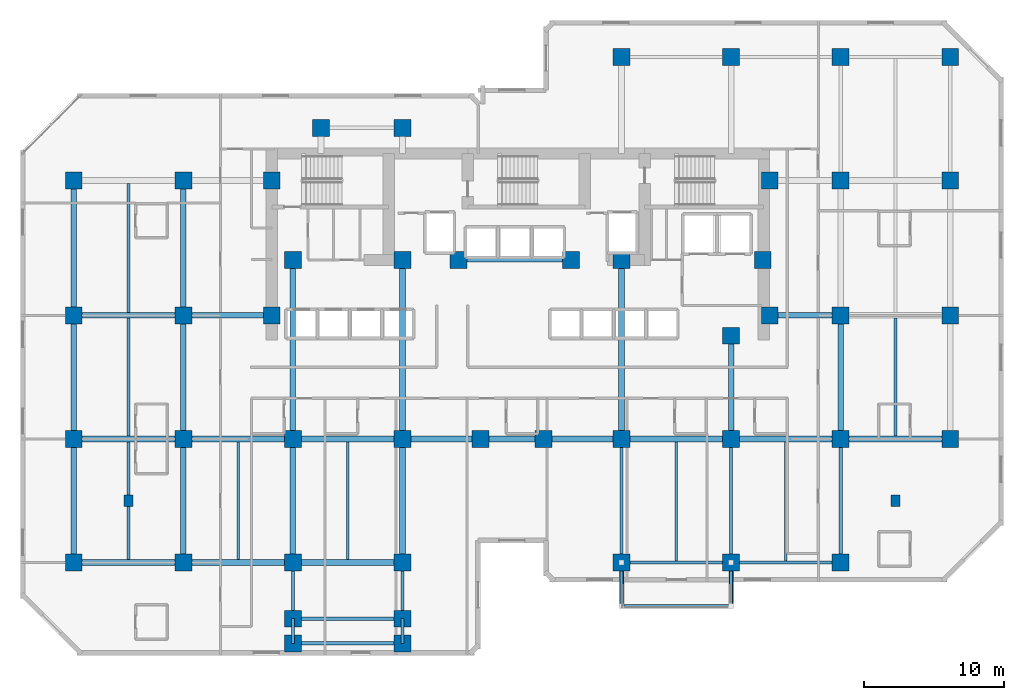
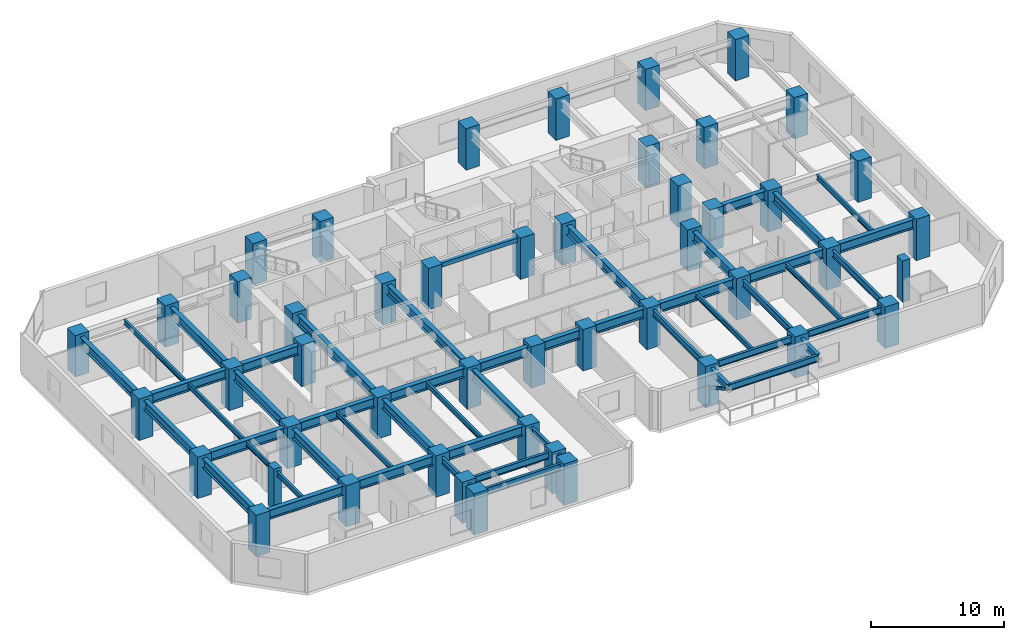
# One storey, part 1 of 12: 51 beams, 48 columns, 2 members.
"""IFC4 building model written with IfcOpenShell, lengths in metres."""

from ifc_helpers import new_model, si_unit, direction, frame, origin, origin_2d, place, context, subcontext, project, spatial, rectangle, hollow_rectangle, i_section, extrude, material, material_profile, profile_set, type_object, element, save


model = new_model("IFC4")

# Units and contexts
model_context = context("Model", 3, precision=1e-05, world=origin(), true_north=direction((0.0, 1.0)))
body_context = subcontext(model_context, "Body", "Model", "MODEL_VIEW")
ifc_project = project(units=[si_unit("LENGTHUNIT", "METRE"), si_unit("AREAUNIT", "SQUARE_METRE"), si_unit("VOLUMEUNIT", "CUBIC_METRE"), si_unit("PLANEANGLEUNIT", "RADIAN"), si_unit("MASSUNIT", "GRAM", prefix="KILO")], contexts=[model_context])

# Site, building, storey
site_placement = place(None, origin())
site = spatial("IfcSite", under=ifc_project, at=site_placement, CompositionType="ELEMENT")
building_placement = place(site_placement, origin())
building = spatial("IfcBuilding", under=site, at=building_placement, Name="Kestravale Grand Hotel", CompositionType="ELEMENT")
storey_placement = place(building_placement, frame((0.0, 0.0, 122.199951171875)))
storey = spatial("IfcBuildingStorey", under=building, at=storey_placement, Name="L30", CompositionType="ELEMENT", Elevation=122.199951171875)

# Columns
ifc_material_1 = material(Name="Precast concrete f'c 45 MPa", Category="concrete")
ifc_material_profile_1 = material_profile(ifc_material_1, rectangle(XDim=0.64990234375, YDim=0.85009765625, at=origin_2d()))
ifc_profile_set_1 = profile_set([ifc_material_profile_1], Name="Precast concrete f'c 45 MPa")
column_type_1 = type_object("IfcColumnType", Name="C-Z1-PIL850", PredefinedType="PILASTER", material=ifc_profile_set_1)
for number, where, z_axis, x_axis, name in (
    (1, (11.699951171875, 15.60009765625, 0.0), (0.0, 0.0, 1.0), (1.0, 0.0, 0.0), "L30 Art Deco fluted pilaster P1"),
    (2, (66.300048828125, 15.60009765625, 0.0), (0.0, 0.0, 1.0), (1.0, 0.0, 0.0), "L30 Art Deco fluted pilaster P2"),
):
    element("IfcColumn", number, at=place(storey_placement, frame(where, z_axis=z_axis, x_axis=x_axis)), inside=storey, type_object=column_type_1, Name=name, PredefinedType="PILASTER", context=body_context, shape_type="SweptSolid", body=[
        extrude(rectangle(XDim=0.64990234375, YDim=0.85009765625, at=origin_2d()), origin(), (0.0, 0.0, 1.0), 3.800048828125),
    ])
ifc_material_2 = material(Name="Concrete f'c 60 MPa", Category="concrete")
ifc_material_profile_2 = material_profile(ifc_material_2, rectangle(XDim=1.199951171875, YDim=1.199951171875, at=origin_2d()))
ifc_profile_set_2 = profile_set([ifc_material_profile_2], Name="Concrete f'c 60 MPa")
column_type_2 = type_object("IfcColumnType", Name="C-Z2-1200", PredefinedType="COLUMN", material=ifc_profile_set_2)
for number, where, z_axis, x_axis, name in (
    (3, (7.800048828125, 11.199951171875, 0.0), (0.0, 0.0, 1.0), (1.0, 0.0, 0.0), "L30 column 2-C"),
    (4, (7.800048828125, 20.0, 0.0), (0.0, 0.0, 1.0), (1.0, 0.0, 0.0), "L30 column 2-D"),
    (5, (7.800048828125, 28.800048828125, 0.0), (0.0, 0.0, 1.0), (1.0, 0.0, 0.0), "L30 column 2-E"),
    (6, (7.800048828125, 38.39990234375, 0.0), (0.0, 0.0, 1.0), (1.0, 0.0, 0.0), "L30 column 2-F"),
    (7, (15.60009765625, 11.199951171875, 0.0), (0.0, 0.0, 1.0), (1.0, 0.0, 0.0), "L30 column 3-C"),
    (8, (15.60009765625, 20.0, 0.0), (0.0, 0.0, 1.0), (1.0, 0.0, 0.0), "L30 column 3-D"),
    (9, (15.60009765625, 28.800048828125, 0.0), (0.0, 0.0, 1.0), (1.0, 0.0, 0.0), "L30 column 3-E"),
    (10, (15.60009765625, 38.39990234375, 0.0), (0.0, 0.0, 1.0), (1.0, 0.0, 0.0), "L30 column 3-F"),
    (11, (23.39990234375, 11.199951171875, 0.0), (0.0, 0.0, 1.0), (1.0, 0.0, 0.0), "L30 column 4-C"),
    (12, (23.39990234375, 20.0, 0.0), (0.0, 0.0, 1.0), (1.0, 0.0, 0.0), "L30 column 4-D"),
    (13, (31.199951171875, 11.199951171875, 0.0), (0.0, 0.0, 1.0), (1.0, 0.0, 0.0), "L30 column 5-C"),
    (14, (31.199951171875, 20.0, 0.0), (0.0, 0.0, 1.0), (1.0, 0.0, 0.0), "L30 column 5-D"),
    (15, (36.75, 20.0, 0.0), (0.0, 0.0, 1.0), (1.0, 0.0, 0.0), "L30 column 6-D"),
    (16, (41.25, 20.0, 0.0), (0.0, 0.0, 1.0), (1.0, 0.0, 0.0), "L30 column 7-D"),
    (17, (46.800048828125, 11.199951171875, 0.0), (0.0, 0.0, 1.0), (1.0, 0.0, 0.0), "L30 column 8-C"),
    (18, (46.800048828125, 20.0, 0.0), (0.0, 0.0, 1.0), (1.0, 0.0, 0.0), "L30 column 8-D"),
    (19, (46.800048828125, 47.199951171875, 0.0), (0.0, 0.0, 1.0), (1.0, 0.0, 0.0), "L30 column 8-G"),
    (20, (54.60009765625, 11.199951171875, 0.0), (0.0, 0.0, 1.0), (1.0, 0.0, 0.0), "L30 column 9-C"),
    (21, (54.60009765625, 20.0, 0.0), (0.0, 0.0, 1.0), (1.0, 0.0, 0.0), "L30 column 9-D"),
    (22, (54.60009765625, 47.199951171875, 0.0), (0.0, 0.0, 1.0), (1.0, 0.0, 0.0), "L30 column 9-G"),
    (23, (62.39990234375, 11.199951171875, 0.0), (0.0, 0.0, 1.0), (1.0, 0.0, 0.0), "L30 column 10-C"),
    (24, (62.39990234375, 20.0, 0.0), (0.0, 0.0, 1.0), (1.0, 0.0, 0.0), "L30 column 10-D"),
    (25, (62.39990234375, 28.800048828125, 0.0), (0.0, 0.0, 1.0), (1.0, 0.0, 0.0), "L30 column 10-E"),
    (26, (62.39990234375, 38.39990234375, 0.0), (0.0, 0.0, 1.0), (1.0, 0.0, 0.0), "L30 column 10-F"),
    (27, (62.39990234375, 47.199951171875, 0.0), (0.0, 0.0, 1.0), (1.0, 0.0, 0.0), "L30 column 10-G"),
    (28, (70.199951171875, 20.0, 0.0), (0.0, 0.0, 1.0), (1.0, 0.0, 0.0), "L30 column 11-D"),
    (29, (70.199951171875, 28.800048828125, 0.0), (0.0, 0.0, 1.0), (1.0, 0.0, 0.0), "L30 column 11-E"),
    (30, (70.199951171875, 38.39990234375, 0.0), (0.0, 0.0, 1.0), (1.0, 0.0, 0.0), "L30 column 11-F"),
    (31, (70.199951171875, 47.199951171875, 0.0), (0.0, 0.0, 1.0), (1.0, 0.0, 0.0), "L30 column 11-G"),
    (32, (21.89990234375, 28.800048828125, 0.0), (0.0, 0.0, 1.0), (1.0, 0.0, 0.0), "L30 column CW-E"),
    (33, (21.89990234375, 38.39990234375, 0.0), (0.0, 0.0, 1.0), (1.0, 0.0, 0.0), "L30 column CW-F"),
    (34, (57.35009765625, 28.800048828125, 0.0), (0.0, 0.0, 1.0), (1.0, 0.0, 0.0), "L30 column CE-E"),
    (35, (57.35009765625, 38.39990234375, 0.0), (0.0, 0.0, 1.0), (1.0, 0.0, 0.0), "L30 column CE-F"),
    (36, (23.39990234375, 32.75, 0.0), (0.0, 0.0, 1.0), (1.0, 0.0, 0.0), "L30 column 4-CS"),
    (37, (31.199951171875, 32.75, 0.0), (0.0, 0.0, 1.0), (1.0, 0.0, 0.0), "L30 column 5-CS"),
    (38, (35.199951171875, 32.75, 0.0), (0.0, 0.0, 1.0), (1.0, 0.0, 0.0), "L30 column 6C-CS"),
    (39, (43.199951171875, 32.75, 0.0), (0.0, 0.0, 1.0), (1.0, 0.0, 0.0), "L30 column 7C-CS"),
    (40, (46.800048828125, 32.75, 0.0), (0.0, 0.0, 1.0), (1.0, 0.0, 0.0), "L30 column 8-CS"),
    (41, (54.60009765625, 27.35009765625, 0.0), (0.0, 0.0, 1.0), (1.0, 0.0, 0.0), "L30 column 9-CS"),
    (42, (56.85009765625, 32.75, 0.0), (0.0, 0.0, 1.0), (1.0, 0.0, 0.0), "L30 column 9C-CS"),
    (43, (23.39990234375, 7.199951171875, 0.0), (0.0, 0.0, 1.0), (1.0, 0.0, 0.0), "L30 column 4-BS"),
    (44, (31.199951171875, 7.199951171875, 0.0), (0.0, 0.0, 1.0), (1.0, 0.0, 0.0), "L30 column 5-BS"),
    (45, (25.39990234375, 42.14990234375, 0.0), (0.0, 0.0, 1.0), (1.0, 0.0, 0.0), "L30 column 4-FN"),
    (46, (31.199951171875, 42.14990234375, 0.0), (0.0, 0.0, 1.0), (1.0, 0.0, 0.0), "L30 column 5-FN"),
    (47, (23.39990234375, 5.449951171875, 0.0), (0.0, 0.0, 1.0), (1.0, 0.0, 0.0), "L30 column 4-B1S"),
    (48, (31.199951171875, 5.449951171875, 0.0), (0.0, 0.0, 1.0), (1.0, 0.0, 0.0), "L30 column 5-B1S"),
):
    element("IfcColumn", number, at=place(storey_placement, frame(where, z_axis=z_axis, x_axis=x_axis)), inside=storey, type_object=column_type_2, Name=name, PredefinedType="COLUMN", context=body_context, shape_type="SweptSolid", body=[
        extrude(rectangle(XDim=1.199951171875, YDim=1.199951171875, at=origin_2d()), origin(), (0.0, 0.0, 1.0), 3.800048828125),
    ])

# Beams
ifc_material_3 = material(Name="Steel ASTM A992 Grade 50", Category="steel")
ifc_material_profile_3 = material_profile(ifc_material_3, i_section(OverallWidth=0.19091796875, OverallDepth=0.45703125, WebThickness=0.009033203125, FlangeThickness=0.014404296875, FilletRadius=0.015380859375, at=origin_2d()))
ifc_profile_set_3 = profile_set([ifc_material_profile_3], Name="Steel ASTM A992 Grade 50")
beam_type_1 = type_object("IfcBeamType", Name="B-FLR-JST18", PredefinedType="JOIST", material=ifc_profile_set_3)
for number, where, z_axis, x_axis, name in (
    (49, (11.699951171875, 11.400390625, 3.3115234375), (0.0, 1.0, 0.0), (-1.0, 0.0, 0.0), "L30 floor joist 2-3/C-D #1"),
    (50, (11.699951171875, 20.200439453125, 3.3115234375), (0.0, 1.0, 0.0), (-1.0, 0.0, 0.0), "L30 floor joist 2-3/D-E #1"),
):
    element("IfcBeam", number, at=place(storey_placement, frame(where, z_axis=z_axis, x_axis=x_axis)), inside=storey, type_object=beam_type_1, Name=name, PredefinedType="JOIST", context=body_context, shape_type="SweptSolid", body=[
        extrude(i_section(OverallWidth=0.19091796875, OverallDepth=0.45703125, WebThickness=0.009033203125, FlangeThickness=0.014404296875, FilletRadius=0.015380859375, at=origin_2d()), origin(), (0.0, 0.0, 1.0), 8.399169921875),
    ])
beam_1_placement = place(storey_placement, frame((11.699951171875, 29.00048828125, 3.3115234375), z_axis=(0.0, 1.0, 0.0), x_axis=(-1.0, 0.0, 0.0)))
element("IfcBeam", 51, at=beam_1_placement, inside=storey, type_object=beam_type_1, Name="L30 floor joist 2-3/E-F #1", PredefinedType="JOIST", context=body_context, shape_type="SweptSolid", body=[
    extrude(i_section(OverallWidth=0.19091796875, OverallDepth=0.45703125, WebThickness=0.009033203125, FlangeThickness=0.014404296875, FilletRadius=0.015380859375, at=origin_2d()), origin(), (0.0, 0.0, 1.0), 9.198974609375),
])
for number, where, z_axis, x_axis, name in (
    (52, (19.5, 11.400390625, 3.3115234375), (0.0, 1.0, 0.0), (-1.0, 0.0, 0.0), "L30 floor joist 3-4/C-D #1"),
    (53, (27.300048828125, 11.400390625, 3.3115234375), (0.0, 1.0, 0.0), (-1.0, 0.0, 0.0), "L30 floor joist 4-5/C-D #1"),
):
    element("IfcBeam", number, at=place(storey_placement, frame(where, z_axis=z_axis, x_axis=x_axis)), inside=storey, type_object=beam_type_1, Name=name, PredefinedType="JOIST", context=body_context, shape_type="SweptSolid", body=[
        extrude(i_section(OverallWidth=0.19091796875, OverallDepth=0.45703125, WebThickness=0.009033203125, FlangeThickness=0.014404296875, FilletRadius=0.015380859375, at=origin_2d()), origin(), (0.0, 0.0, 1.0), 8.399169921875),
    ])
for number, where, z_axis, x_axis, name in (
    (54, (50.699951171875, 11.314453125, 3.3115234375), (0.0, 1.0, 0.0), (-1.0, 0.0, 0.0), "L30 floor joist 8-9/C-D #1"),
    (55, (58.5, 11.314453125, 3.3115234375), (0.0, 1.0, 0.0), (-1.0, 0.0, 0.0), "L30 floor joist 9-10/C-D #1"),
):
    element("IfcBeam", number, at=place(storey_placement, frame(where, z_axis=z_axis, x_axis=x_axis)), inside=storey, type_object=beam_type_1, Name=name, PredefinedType="JOIST", context=body_context, shape_type="SweptSolid", body=[
        extrude(i_section(OverallWidth=0.19091796875, OverallDepth=0.45703125, WebThickness=0.009033203125, FlangeThickness=0.014404296875, FilletRadius=0.015380859375, at=origin_2d()), origin(), (0.0, 0.0, 1.0), 8.485107421875),
    ])
beam_2_placement = place(storey_placement, frame((66.300048828125, 20.200439453125, 3.3115234375), z_axis=(0.0, 1.0, 0.0), x_axis=(-1.0, 0.0, 0.0)))
element("IfcBeam", 56, at=beam_2_placement, inside=storey, type_object=beam_type_1, Name="L30 floor joist 10-11/D-E #1", PredefinedType="JOIST", context=body_context, shape_type="SweptSolid", body=[
    extrude(i_section(OverallWidth=0.19091796875, OverallDepth=0.45703125, WebThickness=0.009033203125, FlangeThickness=0.014404296875, FilletRadius=0.015380859375, at=origin_2d()), origin(), (0.0, 0.0, 1.0), 8.399169921875),
])
ifc_material_4 = material(Name="Concrete f'c 45 MPa", Category="concrete")
ifc_material_profile_4 = material_profile(ifc_material_4, rectangle(XDim=0.300048828125, YDim=0.39990234375, at=origin_2d()))
ifc_profile_set_4 = profile_set([ifc_material_profile_4], Name="Concrete f'c 45 MPa")
beam_type_2 = type_object("IfcBeamType", Name="B-FLR-LNT400", PredefinedType="LINTEL", material=ifc_profile_set_4)
beam_3_placement = place(storey_placement, frame((35.199951171875, 32.75, 3.340087890625), z_axis=(1.0, 0.0, 0.0), x_axis=(0.0, 1.0, 0.0)))
element("IfcBeam", 57, at=beam_3_placement, inside=storey, type_object=beam_type_2, Name="L30 core portal header lintel", PredefinedType="LINTEL", context=body_context, shape_type="SweptSolid", body=[
    extrude(rectangle(XDim=0.300048828125, YDim=0.39990234375, at=origin_2d()), origin(), (0.0, 0.0, 1.0), 8.0),
])
ifc_material_5 = material(Name="Steel ASTM A992 Grade 50", Category="steel")
ifc_material_profile_5 = material_profile(ifc_material_5, i_section(OverallWidth=0.324951171875, OverallDepth=0.612060546875, WebThickness=0.0126953125, FlangeThickness=0.01904296875, FilletRadius=0.018798828125, at=origin_2d()))
ifc_profile_set_5 = profile_set([ifc_material_profile_5], Name="Steel ASTM A992 Grade 50")
beam_type_3 = type_object("IfcBeamType", Name="B-FLR-W24A", PredefinedType="SPANDREL", material=ifc_profile_set_5)
for number, where, z_axis, x_axis, name in (
    (58, (46.800048828125, 11.199951171875, 3.22412109375), (0.0, -1.0, 0.0), (1.0, 0.0, 0.0), "L31 terrace cantilever beam 1"),
    (59, (54.60009765625, 11.199951171875, 3.22412109375), (0.0, -1.0, 0.0), (1.0, 0.0, 0.0), "L31 terrace cantilever beam 2"),
):
    element("IfcBeam", number, at=place(storey_placement, frame(where, z_axis=z_axis, x_axis=x_axis)), inside=storey, type_object=beam_type_3, Name=name, PredefinedType="SPANDREL", context=body_context, shape_type="SweptSolid", body=[
        extrude(i_section(OverallWidth=0.324951171875, OverallDepth=0.612060546875, WebThickness=0.0126953125, FlangeThickness=0.01904296875, FilletRadius=0.018798828125, at=origin_2d()), origin(), (0.0, 0.0, 1.0), 3.099853515625),
    ])
ifc_material_6 = material(Name="Steel ASTM A992 Grade 50", Category="steel")
ifc_material_profile_6 = material_profile(ifc_material_6, i_section(OverallWidth=0.22900390625, OverallDepth=0.612060546875, WebThickness=0.011962890625, FlangeThickness=0.01953125, FilletRadius=0.019287109375, at=origin_2d()))
ifc_profile_set_6 = profile_set([ifc_material_profile_6], Name="Steel ASTM A992 Grade 50")
beam_type_4 = type_object("IfcBeamType", Name="B-FLR-W24B", PredefinedType="SPANDREL", material=ifc_profile_set_6)
beam_4_placement = place(storey_placement, frame((46.800048828125, 11.199951171875, 3.234130859375), z_axis=(1.0, 0.0, 0.0), x_axis=(0.0, 1.0, 0.0)))
element("IfcBeam", 60, at=beam_4_placement, inside=storey, type_object=beam_type_4, Name="L30 spandrel C:8-9", PredefinedType="SPANDREL", context=body_context, shape_type="SweptSolid", body=[
    extrude(i_section(OverallWidth=0.22900390625, OverallDepth=0.612060546875, WebThickness=0.011962890625, FlangeThickness=0.01953125, FilletRadius=0.019287109375, at=origin_2d()), origin(), (0.0, 0.0, 1.0), 7.800048828125),
])
beam_5_placement = place(storey_placement, frame((54.60009765625, 11.199951171875, 3.234130859375), z_axis=(1.0, 0.0, 0.0), x_axis=(0.0, 1.0, 0.0)))
element("IfcBeam", 61, at=beam_5_placement, inside=storey, type_object=beam_type_4, Name="L30 spandrel C:9-10", PredefinedType="SPANDREL", context=body_context, shape_type="SweptSolid", body=[
    extrude(i_section(OverallWidth=0.22900390625, OverallDepth=0.612060546875, WebThickness=0.011962890625, FlangeThickness=0.01953125, FilletRadius=0.019287109375, at=origin_2d()), origin(), (0.0, 0.0, 1.0), 7.7998046875),
])
for number, where, z_axis, x_axis, name in (
    (62, (23.39990234375, 5.449951171875, 3.234130859375), (1.0, 0.0, 0.0), (0.0, 1.0, 0.0), "L30 perimeter tie spandrel B1S:4-5"),
    (63, (23.39990234375, 7.199951171875, 3.234130859375), (1.0, 0.0, 0.0), (0.0, 1.0, 0.0), "L30 perimeter tie spandrel BS:4-5"),
):
    element("IfcBeam", number, at=place(storey_placement, frame(where, z_axis=z_axis, x_axis=x_axis)), inside=storey, type_object=beam_type_4, Name=name, PredefinedType="SPANDREL", context=body_context, shape_type="SweptSolid", body=[
        extrude(i_section(OverallWidth=0.22900390625, OverallDepth=0.612060546875, WebThickness=0.011962890625, FlangeThickness=0.01953125, FilletRadius=0.019287109375, at=origin_2d()), origin(), (0.0, 0.0, 1.0), 7.800048828125),
    ])
beam_6_placement = place(storey_placement, frame((23.39990234375, 5.449951171875, 3.234130859375), z_axis=(0.0, 1.0, 0.0), x_axis=(-1.0, 0.0, 0.0)))
element("IfcBeam", 64, at=beam_6_placement, inside=storey, type_object=beam_type_4, Name="L30 spandrel 4:B1S-BS", PredefinedType="SPANDREL", context=body_context, shape_type="SweptSolid", body=[
    extrude(i_section(OverallWidth=0.22900390625, OverallDepth=0.612060546875, WebThickness=0.011962890625, FlangeThickness=0.01953125, FilletRadius=0.019287109375, at=origin_2d()), origin(), (0.0, 0.0, 1.0), 1.75),
])
beam_7_placement = place(storey_placement, frame((23.39990234375, 7.199951171875, 3.234130859375), z_axis=(0.0, 1.0, 0.0), x_axis=(-1.0, 0.0, 0.0)))
element("IfcBeam", 65, at=beam_7_placement, inside=storey, type_object=beam_type_4, Name="L30 spandrel 4:BS-C", PredefinedType="SPANDREL", context=body_context, shape_type="SweptSolid", body=[
    extrude(i_section(OverallWidth=0.22900390625, OverallDepth=0.612060546875, WebThickness=0.011962890625, FlangeThickness=0.01953125, FilletRadius=0.019287109375, at=origin_2d()), origin(), (0.0, 0.0, 1.0), 4.0),
])
beam_8_placement = place(storey_placement, frame((31.199951171875, 5.449951171875, 3.234130859375), z_axis=(0.0, 1.0, 0.0), x_axis=(-1.0, 0.0, 0.0)))
element("IfcBeam", 66, at=beam_8_placement, inside=storey, type_object=beam_type_4, Name="L30 spandrel 5:B1S-BS", PredefinedType="SPANDREL", context=body_context, shape_type="SweptSolid", body=[
    extrude(i_section(OverallWidth=0.22900390625, OverallDepth=0.612060546875, WebThickness=0.011962890625, FlangeThickness=0.01953125, FilletRadius=0.019287109375, at=origin_2d()), origin(), (0.0, 0.0, 1.0), 1.75),
])
beam_9_placement = place(storey_placement, frame((31.199951171875, 7.199951171875, 3.234130859375), z_axis=(0.0, 1.0, 0.0), x_axis=(-1.0, 0.0, 0.0)))
element("IfcBeam", 67, at=beam_9_placement, inside=storey, type_object=beam_type_4, Name="L30 spandrel 5:BS-C", PredefinedType="SPANDREL", context=body_context, shape_type="SweptSolid", body=[
    extrude(i_section(OverallWidth=0.22900390625, OverallDepth=0.612060546875, WebThickness=0.011962890625, FlangeThickness=0.01953125, FilletRadius=0.019287109375, at=origin_2d()), origin(), (0.0, 0.0, 1.0), 4.0),
])
for number, where, z_axis, x_axis, name in (
    (68, (46.800048828125, 11.199951171875, 3.234130859375), (0.0, 1.0, 0.0), (-1.0, 0.0, 0.0), "L30 spandrel 8:C-D"),
    (69, (54.60009765625, 11.199951171875, 3.234130859375), (0.0, 1.0, 0.0), (-1.0, 0.0, 0.0), "L30 spandrel 9:C-D"),
    (70, (62.39990234375, 11.199951171875, 3.234130859375), (0.0, 1.0, 0.0), (-1.0, 0.0, 0.0), "L30 spandrel 10:C-D"),
):
    element("IfcBeam", number, at=place(storey_placement, frame(where, z_axis=z_axis, x_axis=x_axis)), inside=storey, type_object=beam_type_4, Name=name, PredefinedType="SPANDREL", context=body_context, shape_type="SweptSolid", body=[
        extrude(i_section(OverallWidth=0.22900390625, OverallDepth=0.612060546875, WebThickness=0.011962890625, FlangeThickness=0.01953125, FilletRadius=0.019287109375, at=origin_2d()), origin(), (0.0, 0.0, 1.0), 8.800048828125),
    ])
beam_10_placement = place(storey_placement, frame((46.800048828125, 8.10009765625, 3.22412109375), z_axis=(1.0, 0.0, 0.0), x_axis=(0.0, 1.0, 0.0)))
element("IfcBeam", 71, at=beam_10_placement, inside=storey, type_object=beam_type_4, Name="L31 terrace edge spandrel", PredefinedType="SPANDREL", context=body_context, shape_type="SweptSolid", body=[
    extrude(i_section(OverallWidth=0.22900390625, OverallDepth=0.612060546875, WebThickness=0.011962890625, FlangeThickness=0.01953125, FilletRadius=0.019287109375, at=origin_2d()), origin(), (0.0, 0.0, 1.0), 7.800048828125),
])
ifc_material_7 = material(Name="Steel ASTM A992 Grade 50", Category="steel")
ifc_material_profile_7 = material_profile(ifc_material_7, i_section(OverallWidth=0.40087890625, OverallDepth=0.861083984375, WebThickness=0.019775390625, FlangeThickness=0.032470703125, FilletRadius=0.0234375, at=origin_2d()))
ifc_profile_set_7 = profile_set([ifc_material_profile_7], Name="Steel ASTM A992 Grade 50")
beam_type_5 = type_object("IfcBeamType", Name="B-GRD-W33", PredefinedType="BEAM", material=ifc_profile_set_7)
beam_11_placement = place(storey_placement, frame((7.800048828125, 11.199951171875, 3.109619140625), z_axis=(1.0, 0.0, 0.0), x_axis=(0.0, 1.0, 0.0)))
element("IfcBeam", 72, at=beam_11_placement, inside=storey, type_object=beam_type_5, Name="L30 girder C:2-3", PredefinedType="BEAM", context=body_context, shape_type="SweptSolid", body=[
    extrude(i_section(OverallWidth=0.40087890625, OverallDepth=0.861083984375, WebThickness=0.019775390625, FlangeThickness=0.032470703125, FilletRadius=0.0234375, at=origin_2d()), origin(), (0.0, 0.0, 1.0), 7.800048828125),
])
beam_12_placement = place(storey_placement, frame((15.60009765625, 11.199951171875, 3.109619140625), z_axis=(1.0, 0.0, 0.0), x_axis=(0.0, 1.0, 0.0)))
element("IfcBeam", 73, at=beam_12_placement, inside=storey, type_object=beam_type_5, Name="L30 girder C:3-4", PredefinedType="BEAM", context=body_context, shape_type="SweptSolid", body=[
    extrude(i_section(OverallWidth=0.40087890625, OverallDepth=0.861083984375, WebThickness=0.019775390625, FlangeThickness=0.032470703125, FilletRadius=0.0234375, at=origin_2d()), origin(), (0.0, 0.0, 1.0), 7.7998046875),
])
for number, where, z_axis, x_axis, name in (
    (74, (23.39990234375, 11.199951171875, 3.109619140625), (1.0, 0.0, 0.0), (0.0, 1.0, 0.0), "L30 girder C:4-5"),
    (75, (7.800048828125, 20.0, 3.109619140625), (1.0, 0.0, 0.0), (0.0, 1.0, 0.0), "L30 girder D:2-3"),
):
    element("IfcBeam", number, at=place(storey_placement, frame(where, z_axis=z_axis, x_axis=x_axis)), inside=storey, type_object=beam_type_5, Name=name, PredefinedType="BEAM", context=body_context, shape_type="SweptSolid", body=[
        extrude(i_section(OverallWidth=0.40087890625, OverallDepth=0.861083984375, WebThickness=0.019775390625, FlangeThickness=0.032470703125, FilletRadius=0.0234375, at=origin_2d()), origin(), (0.0, 0.0, 1.0), 7.800048828125),
    ])
beam_13_placement = place(storey_placement, frame((15.60009765625, 20.0, 3.109619140625), z_axis=(1.0, 0.0, 0.0), x_axis=(0.0, 1.0, 0.0)))
element("IfcBeam", 76, at=beam_13_placement, inside=storey, type_object=beam_type_5, Name="L30 girder D:3-4", PredefinedType="BEAM", context=body_context, shape_type="SweptSolid", body=[
    extrude(i_section(OverallWidth=0.40087890625, OverallDepth=0.861083984375, WebThickness=0.019775390625, FlangeThickness=0.032470703125, FilletRadius=0.0234375, at=origin_2d()), origin(), (0.0, 0.0, 1.0), 7.7998046875),
])
beam_14_placement = place(storey_placement, frame((23.39990234375, 20.0, 3.109619140625), z_axis=(1.0, 0.0, 0.0), x_axis=(0.0, 1.0, 0.0)))
element("IfcBeam", 77, at=beam_14_placement, inside=storey, type_object=beam_type_5, Name="L30 girder D:4-5", PredefinedType="BEAM", context=body_context, shape_type="SweptSolid", body=[
    extrude(i_section(OverallWidth=0.40087890625, OverallDepth=0.861083984375, WebThickness=0.019775390625, FlangeThickness=0.032470703125, FilletRadius=0.0234375, at=origin_2d()), origin(), (0.0, 0.0, 1.0), 7.800048828125),
])
beam_15_placement = place(storey_placement, frame((31.199951171875, 20.0, 3.109619140625), z_axis=(1.0, 0.0, 0.0), x_axis=(0.0, 1.0, 0.0)))
element("IfcBeam", 78, at=beam_15_placement, inside=storey, type_object=beam_type_5, Name="L30 girder D:5-6", PredefinedType="BEAM", context=body_context, shape_type="SweptSolid", body=[
    extrude(i_section(OverallWidth=0.40087890625, OverallDepth=0.861083984375, WebThickness=0.019775390625, FlangeThickness=0.032470703125, FilletRadius=0.0234375, at=origin_2d()), origin(), (0.0, 0.0, 1.0), 5.550048828125),
])
beam_16_placement = place(storey_placement, frame((36.75, 20.0, 3.109619140625), z_axis=(1.0, 0.0, 0.0), x_axis=(0.0, 1.0, 0.0)))
element("IfcBeam", 79, at=beam_16_placement, inside=storey, type_object=beam_type_5, Name="L30 girder D:6-7", PredefinedType="BEAM", context=body_context, shape_type="SweptSolid", body=[
    extrude(i_section(OverallWidth=0.40087890625, OverallDepth=0.861083984375, WebThickness=0.019775390625, FlangeThickness=0.032470703125, FilletRadius=0.0234375, at=origin_2d()), origin(), (0.0, 0.0, 1.0), 4.5),
])
beam_17_placement = place(storey_placement, frame((41.25, 20.0, 3.109619140625), z_axis=(1.0, 0.0, 0.0), x_axis=(0.0, 1.0, 0.0)))
element("IfcBeam", 80, at=beam_17_placement, inside=storey, type_object=beam_type_5, Name="L30 girder D:7-8", PredefinedType="BEAM", context=body_context, shape_type="SweptSolid", body=[
    extrude(i_section(OverallWidth=0.40087890625, OverallDepth=0.861083984375, WebThickness=0.019775390625, FlangeThickness=0.032470703125, FilletRadius=0.0234375, at=origin_2d()), origin(), (0.0, 0.0, 1.0), 5.550048828125),
])
beam_18_placement = place(storey_placement, frame((46.800048828125, 20.0, 3.109619140625), z_axis=(1.0, 0.0, 0.0), x_axis=(0.0, 1.0, 0.0)))
element("IfcBeam", 81, at=beam_18_placement, inside=storey, type_object=beam_type_5, Name="L30 girder D:8-9", PredefinedType="BEAM", context=body_context, shape_type="SweptSolid", body=[
    extrude(i_section(OverallWidth=0.40087890625, OverallDepth=0.861083984375, WebThickness=0.019775390625, FlangeThickness=0.032470703125, FilletRadius=0.0234375, at=origin_2d()), origin(), (0.0, 0.0, 1.0), 7.800048828125),
])
beam_19_placement = place(storey_placement, frame((54.60009765625, 20.0, 3.109619140625), z_axis=(1.0, 0.0, 0.0), x_axis=(0.0, 1.0, 0.0)))
element("IfcBeam", 82, at=beam_19_placement, inside=storey, type_object=beam_type_5, Name="L30 girder D:9-10", PredefinedType="BEAM", context=body_context, shape_type="SweptSolid", body=[
    extrude(i_section(OverallWidth=0.40087890625, OverallDepth=0.861083984375, WebThickness=0.019775390625, FlangeThickness=0.032470703125, FilletRadius=0.0234375, at=origin_2d()), origin(), (0.0, 0.0, 1.0), 7.7998046875),
])
for number, where, z_axis, x_axis, name in (
    (83, (62.39990234375, 20.0, 3.109619140625), (1.0, 0.0, 0.0), (0.0, 1.0, 0.0), "L30 girder D:10-11"),
    (84, (7.800048828125, 28.800048828125, 3.109619140625), (1.0, 0.0, 0.0), (0.0, 1.0, 0.0), "L30 girder E:2-3"),
):
    element("IfcBeam", number, at=place(storey_placement, frame(where, z_axis=z_axis, x_axis=x_axis)), inside=storey, type_object=beam_type_5, Name=name, PredefinedType="BEAM", context=body_context, shape_type="SweptSolid", body=[
        extrude(i_section(OverallWidth=0.40087890625, OverallDepth=0.861083984375, WebThickness=0.019775390625, FlangeThickness=0.032470703125, FilletRadius=0.0234375, at=origin_2d()), origin(), (0.0, 0.0, 1.0), 7.800048828125),
    ])
beam_20_placement = place(storey_placement, frame((15.60009765625, 28.800048828125, 3.109619140625), z_axis=(1.0, 0.0, 0.0), x_axis=(0.0, 1.0, 0.0)))
element("IfcBeam", 85, at=beam_20_placement, inside=storey, type_object=beam_type_5, Name="L30 girder E:3-CW", PredefinedType="BEAM", context=body_context, shape_type="SweptSolid", body=[
    extrude(i_section(OverallWidth=0.40087890625, OverallDepth=0.861083984375, WebThickness=0.019775390625, FlangeThickness=0.032470703125, FilletRadius=0.0234375, at=origin_2d()), origin(), (0.0, 0.0, 1.0), 6.2998046875),
])
beam_21_placement = place(storey_placement, frame((57.35009765625, 28.800048828125, 3.109619140625), z_axis=(1.0, 0.0, 0.0), x_axis=(0.0, 1.0, 0.0)))
element("IfcBeam", 86, at=beam_21_placement, inside=storey, type_object=beam_type_5, Name="L30 girder E:CE-10", PredefinedType="BEAM", context=body_context, shape_type="SweptSolid", body=[
    extrude(i_section(OverallWidth=0.40087890625, OverallDepth=0.861083984375, WebThickness=0.019775390625, FlangeThickness=0.032470703125, FilletRadius=0.0234375, at=origin_2d()), origin(), (0.0, 0.0, 1.0), 5.0498046875),
])
for number, where, z_axis, x_axis, name in (
    (87, (7.800048828125, 11.199951171875, 3.109619140625), (0.0, 1.0, 0.0), (-1.0, 0.0, 0.0), "L30 girder 2:C-D"),
    (88, (7.800048828125, 20.0, 3.109619140625), (0.0, 1.0, 0.0), (-1.0, 0.0, 0.0), "L30 girder 2:D-E"),
):
    element("IfcBeam", number, at=place(storey_placement, frame(where, z_axis=z_axis, x_axis=x_axis)), inside=storey, type_object=beam_type_5, Name=name, PredefinedType="BEAM", context=body_context, shape_type="SweptSolid", body=[
        extrude(i_section(OverallWidth=0.40087890625, OverallDepth=0.861083984375, WebThickness=0.019775390625, FlangeThickness=0.032470703125, FilletRadius=0.0234375, at=origin_2d()), origin(), (0.0, 0.0, 1.0), 8.800048828125),
    ])
beam_22_placement = place(storey_placement, frame((7.800048828125, 28.800048828125, 3.109619140625), z_axis=(0.0, 1.0, 0.0), x_axis=(-1.0, 0.0, 0.0)))
element("IfcBeam", 89, at=beam_22_placement, inside=storey, type_object=beam_type_5, Name="L30 girder 2:E-F", PredefinedType="BEAM", context=body_context, shape_type="SweptSolid", body=[
    extrude(i_section(OverallWidth=0.40087890625, OverallDepth=0.861083984375, WebThickness=0.019775390625, FlangeThickness=0.032470703125, FilletRadius=0.0234375, at=origin_2d()), origin(), (0.0, 0.0, 1.0), 9.599853515625),
])
for number, where, z_axis, x_axis, name in (
    (90, (15.60009765625, 11.199951171875, 3.109619140625), (0.0, 1.0, 0.0), (-1.0, 0.0, 0.0), "L30 girder 3:C-D"),
    (91, (15.60009765625, 20.0, 3.109619140625), (0.0, 1.0, 0.0), (-1.0, 0.0, 0.0), "L30 girder 3:D-E"),
):
    element("IfcBeam", number, at=place(storey_placement, frame(where, z_axis=z_axis, x_axis=x_axis)), inside=storey, type_object=beam_type_5, Name=name, PredefinedType="BEAM", context=body_context, shape_type="SweptSolid", body=[
        extrude(i_section(OverallWidth=0.40087890625, OverallDepth=0.861083984375, WebThickness=0.019775390625, FlangeThickness=0.032470703125, FilletRadius=0.0234375, at=origin_2d()), origin(), (0.0, 0.0, 1.0), 8.800048828125),
    ])
beam_23_placement = place(storey_placement, frame((15.60009765625, 28.800048828125, 3.109619140625), z_axis=(0.0, 1.0, 0.0), x_axis=(-1.0, 0.0, 0.0)))
element("IfcBeam", 92, at=beam_23_placement, inside=storey, type_object=beam_type_5, Name="L30 girder 3:E-F", PredefinedType="BEAM", context=body_context, shape_type="SweptSolid", body=[
    extrude(i_section(OverallWidth=0.40087890625, OverallDepth=0.861083984375, WebThickness=0.019775390625, FlangeThickness=0.032470703125, FilletRadius=0.0234375, at=origin_2d()), origin(), (0.0, 0.0, 1.0), 9.599853515625),
])
beam_24_placement = place(storey_placement, frame((23.39990234375, 11.199951171875, 3.109619140625), z_axis=(0.0, 1.0, 0.0), x_axis=(-1.0, 0.0, 0.0)))
element("IfcBeam", 93, at=beam_24_placement, inside=storey, type_object=beam_type_5, Name="L30 girder 4:C-D", PredefinedType="BEAM", context=body_context, shape_type="SweptSolid", body=[
    extrude(i_section(OverallWidth=0.40087890625, OverallDepth=0.861083984375, WebThickness=0.019775390625, FlangeThickness=0.032470703125, FilletRadius=0.0234375, at=origin_2d()), origin(), (0.0, 0.0, 1.0), 8.800048828125),
])
beam_25_placement = place(storey_placement, frame((23.39990234375, 20.0, 3.109619140625), z_axis=(0.0, 1.0, 0.0), x_axis=(-1.0, 0.0, 0.0)))
element("IfcBeam", 94, at=beam_25_placement, inside=storey, type_object=beam_type_5, Name="L30 girder 4:D-CS", PredefinedType="BEAM", context=body_context, shape_type="SweptSolid", body=[
    extrude(i_section(OverallWidth=0.40087890625, OverallDepth=0.861083984375, WebThickness=0.019775390625, FlangeThickness=0.032470703125, FilletRadius=0.0234375, at=origin_2d()), origin(), (0.0, 0.0, 1.0), 12.75),
])
beam_26_placement = place(storey_placement, frame((31.199951171875, 11.199951171875, 3.109619140625), z_axis=(0.0, 1.0, 0.0), x_axis=(-1.0, 0.0, 0.0)))
element("IfcBeam", 95, at=beam_26_placement, inside=storey, type_object=beam_type_5, Name="L30 girder 5:C-D", PredefinedType="BEAM", context=body_context, shape_type="SweptSolid", body=[
    extrude(i_section(OverallWidth=0.40087890625, OverallDepth=0.861083984375, WebThickness=0.019775390625, FlangeThickness=0.032470703125, FilletRadius=0.0234375, at=origin_2d()), origin(), (0.0, 0.0, 1.0), 8.800048828125),
])
for number, where, z_axis, x_axis, name in (
    (96, (31.199951171875, 20.0, 3.109619140625), (0.0, 1.0, 0.0), (-1.0, 0.0, 0.0), "L30 girder 5:D-CS"),
    (97, (46.800048828125, 20.0, 3.109619140625), (0.0, 1.0, 0.0), (-1.0, 0.0, 0.0), "L30 girder 8:D-CS"),
):
    element("IfcBeam", number, at=place(storey_placement, frame(where, z_axis=z_axis, x_axis=x_axis)), inside=storey, type_object=beam_type_5, Name=name, PredefinedType="BEAM", context=body_context, shape_type="SweptSolid", body=[
        extrude(i_section(OverallWidth=0.40087890625, OverallDepth=0.861083984375, WebThickness=0.019775390625, FlangeThickness=0.032470703125, FilletRadius=0.0234375, at=origin_2d()), origin(), (0.0, 0.0, 1.0), 12.75),
    ])
beam_27_placement = place(storey_placement, frame((54.60009765625, 20.0, 3.109619140625), z_axis=(0.0, 1.0, 0.0), x_axis=(-1.0, 0.0, 0.0)))
element("IfcBeam", 98, at=beam_27_placement, inside=storey, type_object=beam_type_5, Name="L30 girder 9:D-CS", PredefinedType="BEAM", context=body_context, shape_type="SweptSolid", body=[
    extrude(i_section(OverallWidth=0.40087890625, OverallDepth=0.861083984375, WebThickness=0.019775390625, FlangeThickness=0.032470703125, FilletRadius=0.0234375, at=origin_2d()), origin(), (0.0, 0.0, 1.0), 7.35009765625),
])
beam_28_placement = place(storey_placement, frame((62.39990234375, 20.0, 3.109619140625), z_axis=(0.0, 1.0, 0.0), x_axis=(-1.0, 0.0, 0.0)))
element("IfcBeam", 99, at=beam_28_placement, inside=storey, type_object=beam_type_5, Name="L30 girder 10:D-E", PredefinedType="BEAM", context=body_context, shape_type="SweptSolid", body=[
    extrude(i_section(OverallWidth=0.40087890625, OverallDepth=0.861083984375, WebThickness=0.019775390625, FlangeThickness=0.032470703125, FilletRadius=0.0234375, at=origin_2d()), origin(), (0.0, 0.0, 1.0), 8.800048828125),
])

# Members
ifc_material_8 = material(Name="Steel ASTM A500 Grade C", Category="steel")
ifc_material_profile_8 = material_profile(ifc_material_8, hollow_rectangle(XDim=0.25, YDim=0.25, WallThickness=0.011962890625, InnerFilletRadius=0.011962890625, OuterFilletRadius=0.02392578125, at=origin_2d()))
ifc_profile_set_8 = profile_set([ifc_material_profile_8], Name="Steel ASTM A500 Grade C")
member_type = type_object("IfcMemberType", Name="M-BLT-STR250", PredefinedType="STRUT", material=ifc_profile_set_8)
for number, where, z_axis, x_axis, name in (
    (100, (46.800048828125, 11.199951171875, 1.3740234375), (0.0, -0.876808651978, 0.480839461583), (1.0, 0.0, 0.0), "L31 terrace knee-brace strut 1"),
    (101, (54.60009765625, 11.199951171875, 1.3740234375), (0.0, -0.876808651978, 0.480839461583), (1.0, 0.0, 0.0), "L31 terrace knee-brace strut 2"),
):
    element("IfcMember", number, at=place(storey_placement, frame(where, z_axis=z_axis, x_axis=x_axis)), inside=storey, type_object=member_type, Name=name, PredefinedType="STRUT", context=body_context, shape_type="SweptSolid", body=[
        extrude(hollow_rectangle(XDim=0.25, YDim=0.25, WallThickness=0.011962890625, InnerFilletRadius=0.011962890625, OuterFilletRadius=0.02392578125, at=origin_2d()), origin(), (0.0, 0.0, 1.0), 3.535400390625),
    ])

save(model, "model.ifc")
